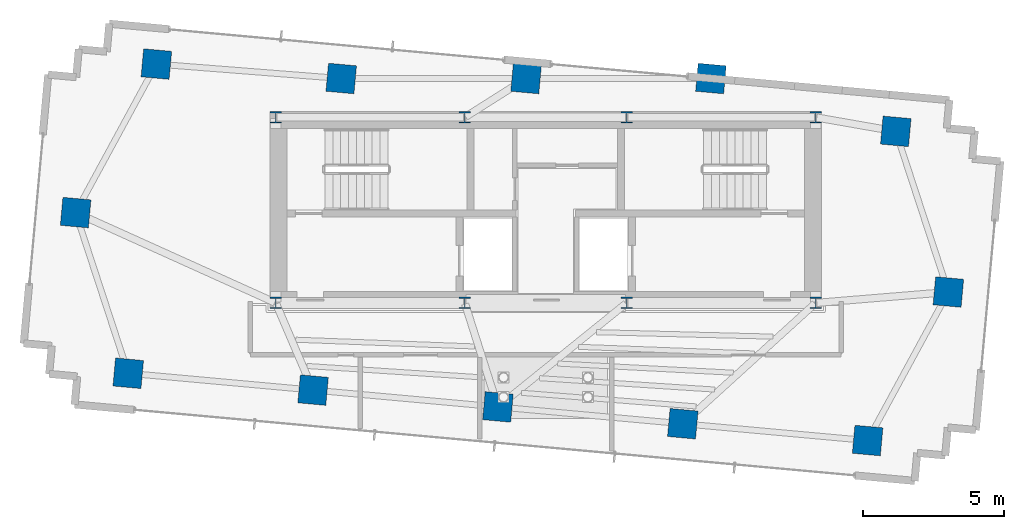
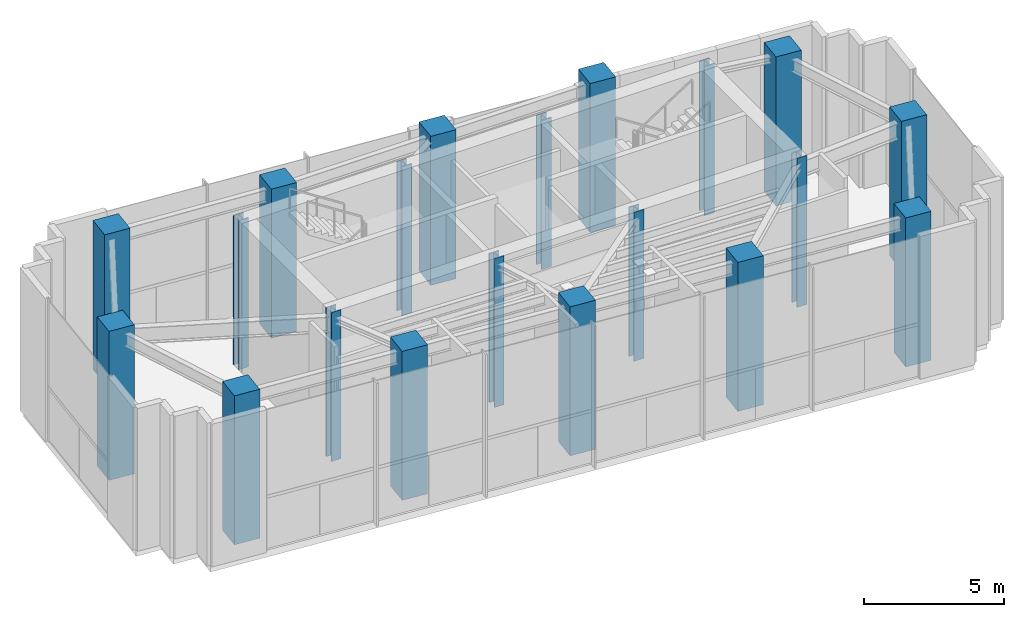
# One storey, part 1 of 14: 20 columns.
"""IFC4 building model written with IfcOpenShell, lengths in metres."""

from ifc_helpers import new_model, si_unit, direction, frame, origin, origin_2d, place, context, subcontext, project, spatial, rectangle, i_section, extrude, source, transform, mapped, material, material_profile, profile_set, type_object, type_shapes, element, save


model = new_model("IFC4")

# Units and contexts
model_context = context("Model", 3, precision=1e-05, world=origin(), true_north=direction((0.0, 1.0)))
body_context = subcontext(model_context, "Body", "Model", "MODEL_VIEW")
ifc_project = project(units=[si_unit("LENGTHUNIT", "METRE"), si_unit("AREAUNIT", "SQUARE_METRE"), si_unit("VOLUMEUNIT", "CUBIC_METRE"), si_unit("PLANEANGLEUNIT", "RADIAN"), si_unit("MASSUNIT", "GRAM", prefix="KILO")], contexts=[model_context])

# Site, building, storey
site_placement = place(None, origin())
site = spatial("IfcSite", under=ifc_project, at=site_placement, CompositionType="ELEMENT")
building_placement = place(site_placement, origin())
building = spatial("IfcBuilding", under=site, at=building_placement, Name="Astriad Promenade Condominiums", CompositionType="ELEMENT")
storey_placement = place(building_placement, frame((0.0, 0.0, 270.800048828125)))
storey = spatial("IfcBuildingStorey", under=building, at=storey_placement, Name="L77", CompositionType="ELEMENT", Elevation=270.800048828125)

# Columns
ifc_material_1 = material(Name="Steel ASTM A992 Grade 50", Category="steel")
ifc_material_profile_1 = material_profile(ifc_material_1, i_section(OverallWidth=0.403564453125, OverallDepth=0.407470703125, WebThickness=0.027099609375, FlangeThickness=0.043701171875, FilletRadius=0.017822265625, at=origin_2d()), Name="W14X233")
ifc_profile_set_1 = profile_set([ifc_material_profile_1], Name="Steel ASTM A992 Grade 50")
column_type_1 = type_object("IfcColumnType", Name="STEEL CORE PILASTER W14X233", PredefinedType="PILASTER", material=ifc_profile_set_1)
shared_shape_1 = source(origin(), body_context, "Body", "SweptSolid", [
    extrude(i_section(OverallWidth=0.403564453125, OverallDepth=0.407470703125, WebThickness=0.027099609375, FlangeThickness=0.043701171875, FilletRadius=0.017822265625, at=origin_2d()), origin(), (0.0, 0.0, 1.0), 6.49609375),
])
type_shapes(column_type_1, [shared_shape_1])
for number, where, z_axis, x_axis, name in (
    (1, (26.39990234375, 17.39990234375, 0.001953125), (0.0, 0.0, 1.0), (1.0, 0.0, 0.0), "Core Pilaster Column CP1 (L77)"),
    (2, (33.1201171875, 17.39990234375, 0.001953125), (0.0, 0.0, 1.0), (1.0, 0.0, 0.0), "Core Pilaster Column CP2 (L77)"),
    (3, (38.8798828125, 17.39990234375, 0.001953125), (0.0, 0.0, 1.0), (1.0, 0.0, 0.0), "Core Pilaster Column CP3 (L77)"),
    (4, (45.60009765625, 17.39990234375, 0.001953125), (0.0, 0.0, 1.0), (1.0, 0.0, 0.0), "Core Pilaster Column CP4 (L77)"),
    (5, (26.39990234375, 24.0, 0.001953125), (0.0, 0.0, 1.0), (1.0, 0.0, 0.0), "Core Pilaster Column CP5 (L77)"),
    (6, (33.1201171875, 24.0, 0.001953125), (0.0, 0.0, 1.0), (1.0, 0.0, 0.0), "Core Pilaster Column CP6 (L77)"),
    (7, (38.8798828125, 24.0, 0.001953125), (0.0, 0.0, 1.0), (1.0, 0.0, 0.0), "Core Pilaster Column CP7 (L77)"),
    (8, (45.60009765625, 24.0, 0.001953125), (0.0, 0.0, 1.0), (1.0, 0.0, 0.0), "Core Pilaster Column CP8 (L77)"),
):
    element("IfcColumn", number, at=place(storey_placement, frame(where, z_axis=z_axis, x_axis=x_axis)), inside=storey, type_object=column_type_1, Name=name, PredefinedType="PILASTER", context=body_context, shape_type="MappedRepresentation", body=[
        mapped(shared_shape_1, transform((0.0, 0.0, 0.0), scale=1.0)),
    ])
ifc_material_2 = material(Name="Concrete C60/75", Category="concrete")
ifc_material_profile_2 = material_profile(ifc_material_2, rectangle(XDim=1.0, YDim=1.0, at=origin_2d()), Name="RC-COL-1000X1000")
ifc_profile_set_2 = profile_set([ifc_material_profile_2], Name="Concrete C60/75")
column_type_2 = type_object("IfcColumnType", Name="CONCRETE TOWER COLUMN 1000X1000", PredefinedType="COLUMN", material=ifc_profile_set_2)
shared_shape_2 = source(origin(), body_context, "Body", "SweptSolid", [
    extrude(rectangle(XDim=1.0, YDim=1.0, at=origin_2d()), origin(), (0.0, 0.0, 1.0), 6.49609375),
])
type_shapes(column_type_2, [shared_shape_2])
for number, where, z_axis, x_axis, name in (
    (9, (21.154052734375, 14.899169921875, 0.001953125), (0.0, 0.0, 1.0), (0.995884398616, -0.090632580198, 0.0), "Perimeter Column PC01 (L77)"),
    (10, (27.726806640625, 14.30078125, 0.001953125), (0.0, 0.0, 1.0), (0.995884398616, -0.090632580198, 0.0), "Perimeter Column PC02 (L77)"),
    (11, (34.2998046875, 13.70263671875, 0.001953125), (0.0, 0.0, 1.0), (0.995884398616, -0.090632580198, 0.0), "Perimeter Column PC03 (L77)"),
    (12, (40.87255859375, 13.1044921875, 0.001953125), (0.0, 0.0, 1.0), (0.995884398616, -0.090632580198, 0.0), "Perimeter Column PC04 (L77)"),
    (13, (47.4453125, 12.50634765625, 0.001953125), (0.0, 0.0, 1.0), (0.995884398616, -0.090632580198, 0.0), "Perimeter Column PC05 (L77)"),
    (14, (22.154541015625, 25.8935546875, 0.001953125), (0.0, 0.0, 1.0), (0.995884398616, -0.090632580198, 0.0), "Perimeter Column PC06 (L77)"),
    (15, (28.7275390625, 25.3798828125, 0.001953125), (0.0, 0.0, 1.0), (0.995884398616, -0.090632580198, 0.0), "Perimeter Column PC07 (L77)"),
    (16, (35.30029296875, 25.3798828125, 0.001953125), (0.0, 0.0, 1.0), (0.995884398616, -0.090632580198, 0.0), "Perimeter Column PC08 (L77)"),
    (17, (41.873046875, 25.3798828125, 0.001953125), (0.0, 0.0, 1.0), (0.995884398616, -0.090632580198, 0.0), "Perimeter Column PC09 (L77)"),
    (18, (48.446044921875, 23.5009765625, 0.001953125), (0.0, 0.0, 1.0), (0.995884398616, -0.090632580198, 0.0), "Perimeter Column PC10 (L77)"),
    (19, (19.2841796875, 20.612060546875, 0.001953125), (0.0, 0.0, 1.0), (0.995884398616, -0.090632580198, 0.0), "Perimeter Column PC11 (L77)"),
    (20, (50.31591796875, 17.787841796875, 0.001953125), (0.0, 0.0, 1.0), (0.995884398616, -0.090632580198, 0.0), "Perimeter Column PC12 (L77)"),
):
    element("IfcColumn", number, at=place(storey_placement, frame(where, z_axis=z_axis, x_axis=x_axis)), inside=storey, type_object=column_type_2, Name=name, PredefinedType="COLUMN", context=body_context, shape_type="MappedRepresentation", body=[
        mapped(shared_shape_2, transform((0.0, 0.0, 0.0), scale=1.0)),
    ])

save(model, "model.ifc")
